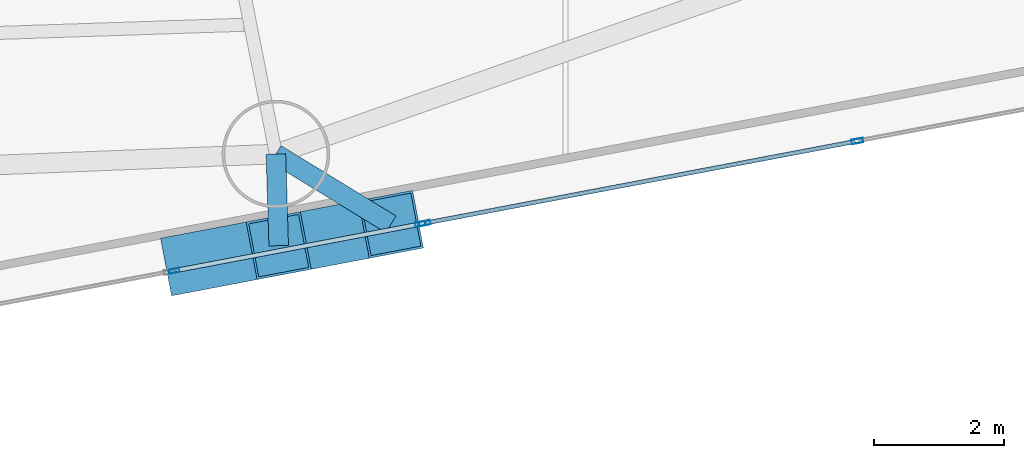
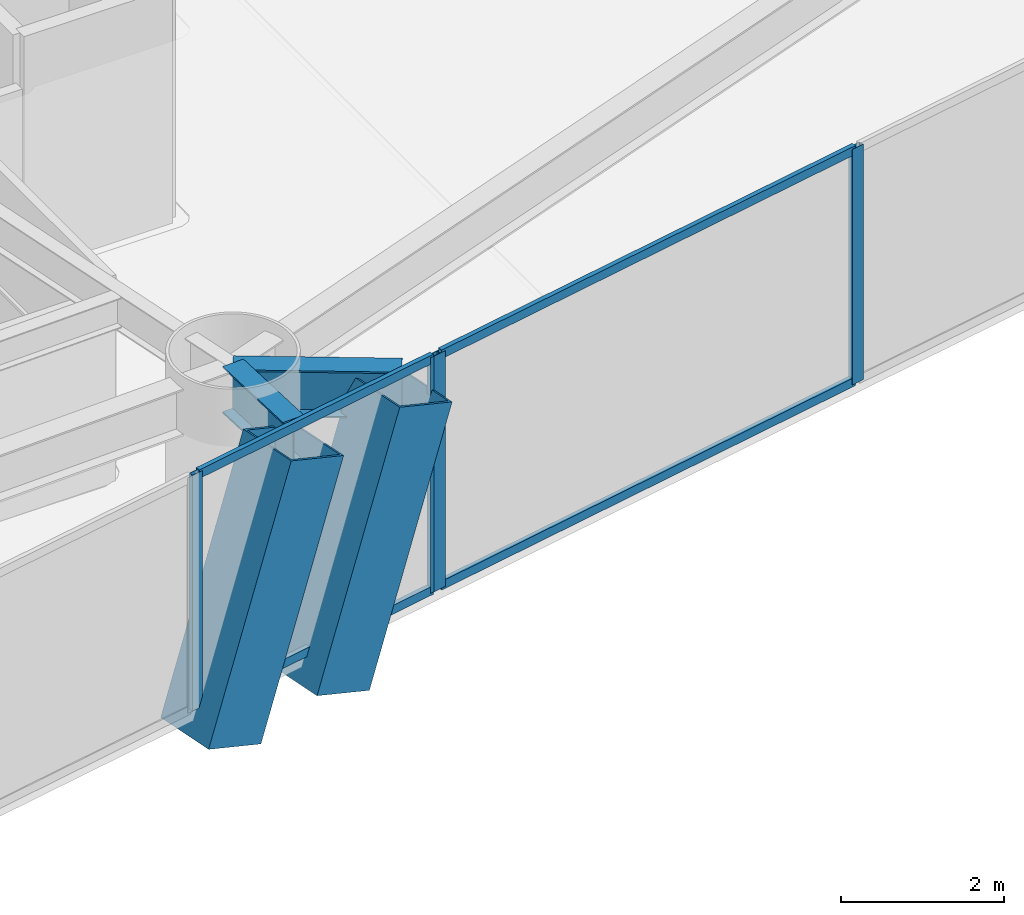
# One storey, part 5 of 23: 10 members, 2 beams, 2 elements without a shape of their own.
"""IFC4 building model written with IfcOpenShell, lengths in metres."""

from ifc_helpers import new_model, si_unit, direction, frame, origin, origin_2d, place, context, subcontext, project, spatial, hollow_rectangle, i_section, extrude, material, layer, layer_set, material_profile, profile_set, type_object, element, aggregate, save


model = new_model("IFC4")

# Units and contexts
model_context = context("Model", 3, precision=1e-05, world=origin(), true_north=direction((0.0, 1.0)))
body_context = subcontext(model_context, "Body", "Model", "MODEL_VIEW")
ifc_project = project(units=[si_unit("LENGTHUNIT", "METRE"), si_unit("AREAUNIT", "SQUARE_METRE"), si_unit("VOLUMEUNIT", "CUBIC_METRE"), si_unit("PLANEANGLEUNIT", "RADIAN"), si_unit("MASSUNIT", "GRAM", prefix="KILO")], contexts=[model_context])

# Site, building, storey
site_placement = place(None, origin())
site = spatial("IfcSite", under=ifc_project, at=site_placement, CompositionType="ELEMENT")
building_placement = place(site_placement, origin())
building = spatial("IfcBuilding", under=site, at=building_placement, Name="Qianvela Tower", CompositionType="ELEMENT")
storey_placement = place(building_placement, frame((0.0, 0.0, 85.800048828125)))
storey = spatial("IfcBuildingStorey", under=building, at=storey_placement, Name="L21", CompositionType="ELEMENT", Elevation=85.800048828125)

# Beams
ifc_material_1 = material(Name="Steel Q355B", Category="steel")
ifc_material_profile_1 = material_profile(ifc_material_1, i_section(OverallWidth=0.300048828125, OverallDepth=0.699951171875, WebThickness=0.012939453125, FlangeThickness=0.02392578125, at=origin_2d()), Name="HN700x300x13x24")
ifc_profile_set_1 = profile_set([ifc_material_profile_1], Name="Steel Q355B")
beam_type = type_object("IfcBeamType", Name="BM-HN700-SPAND", PredefinedType="SPANDREL", material=ifc_profile_set_1)
beam_1_placement = place(storey_placement, frame((40.18896484375, 14.819091796875, 3.16796875), z_axis=(0.030546599843, -0.999533343735, 0.0), x_axis=(0.999533343735, 0.030546599843, 0.0)))
element("IfcBeam", 1, at=beam_1_placement, inside=storey, type_object=beam_type, Name="L21 Mega-Brace Column Tie Bracket F3-1", PredefinedType="SPANDREL", context=body_context, shape_type="SweptSolid", body=[
    extrude(i_section(OverallWidth=0.300048828125, OverallDepth=0.699951171875, WebThickness=0.012939453125, FlangeThickness=0.02392578125, at=origin_2d()), origin(), (0.0, 0.0, 1.0), 1.40673828125),
])
beam_2_placement = place(storey_placement, frame((40.18896484375, 14.819091796875, 3.16796875), z_axis=(0.853214723789, -0.521559809714, 0.0), x_axis=(0.521559809714, 0.853214723789, 0.0)))
element("IfcBeam", 2, at=beam_2_placement, inside=storey, type_object=beam_type, Name="L21 Mega-Brace Column Tie Bracket F3-2", PredefinedType="SPANDREL", context=body_context, shape_type="SweptSolid", body=[
    extrude(i_section(OverallWidth=0.300048828125, OverallDepth=0.699951171875, WebThickness=0.012939453125, FlangeThickness=0.02392578125, at=origin_2d()), origin(), (0.0, 0.0, 1.0), 2.068603515625),
])

# Curtain wall, members
ifc_material_2 = material(Name="Anodised Architectural Aluminium and Insulated Spandrel Panel", Category="aluminium")
ifc_layer_1 = layer(ifc_material_2, 0.179931640625)
ifc_layer_set_1 = layer_set([ifc_layer_1], Name="Anodised Architectural Aluminium and Insulated Spandrel Panel")
curtain_wall_type_1 = type_object("IfcCurtainWallType", Name="CW-BRACEBAY", PredefinedType="USERDEFINED", material=ifc_layer_set_1)
curtain_wall_1_placement = place(storey_placement, origin())
curtain_wall_1 = element("IfcCurtainWall", 3, at=curtain_wall_1_placement, inside=storey, type_object=curtain_wall_type_1, Name="L21 CW-BRACEBAY Curtain Wall 06B", ObjectType="CURTAIN_WALL_SYSTEM", PredefinedType="USERDEFINED")
ifc_material_3 = material(Name="Anodised Architectural Aluminium 6063-T6", Category="aluminium")
ifc_material_profile_2 = material_profile(ifc_material_3, hollow_rectangle(XDim=0.06494140625, YDim=0.159912109375, WallThickness=0.0048828125, at=origin_2d()), Name="ALU-MULL-65x160")
ifc_profile_set_2 = profile_set([ifc_material_profile_2], Name="Anodised Architectural Aluminium 6063-T6")
member_type_1 = type_object("IfcMemberType", Name="CW-BRACEBAY-MULL", PredefinedType="MULLION", material=ifc_profile_set_2)
member_1_placement = place(storey_placement, frame((38.62744140625, 13.02685546875, 0.0), z_axis=(0.0, 0.0, 1.0), x_axis=(-0.186574989474, 0.982440722539, 0.0)))
member_1 = element("IfcMember", 4, at=member_1_placement, type_object=member_type_1, Name="CW-9 mullion 1", PredefinedType="MULLION", context=body_context, shape_type="SweptSolid", body=[
    extrude(hollow_rectangle(XDim=0.06494140625, YDim=0.159912109375, WallThickness=0.0048828125, at=origin_2d()), origin(), (0.0, 0.0, 1.0), 3.52001953125),
])
member_2_placement = place(storey_placement, frame((42.40478515625, 13.744384765625, 0.0), z_axis=(0.0, 0.0, 1.0), x_axis=(-0.186574989474, 0.982440722539, 0.0)))
member_2 = element("IfcMember", 5, at=member_2_placement, type_object=member_type_1, Name="CW-9 mullion 2", PredefinedType="MULLION", context=body_context, shape_type="SweptSolid", body=[
    extrude(hollow_rectangle(XDim=0.06494140625, YDim=0.159912109375, WallThickness=0.0048828125, at=origin_2d()), origin(), (0.0, 0.0, 1.0), 3.52001953125),
])
ifc_material_4 = material(Name="Anodised Architectural Aluminium 6063-T6", Category="aluminium")
ifc_material_profile_3 = material_profile(ifc_material_4, hollow_rectangle(XDim=0.06494140625, YDim=0.1298828125, WallThickness=0.00439453125, at=origin_2d()), Name="ALU-TRAN-65x130")
ifc_profile_set_3 = profile_set([ifc_material_profile_3], Name="Anodised Architectural Aluminium 6063-T6")
member_type_2 = type_object("IfcMemberType", Name="CW-BRACEBAY-TRAN", PredefinedType="USERDEFINED", material=ifc_profile_set_3)
member_3_placement = place(storey_placement, frame((38.6591796875, 13.032958984375, 0.032470703125), z_axis=(0.98243735933, 0.18659269812, 0.0), x_axis=(-0.18659269812, 0.98243735933, 0.0)))
member_3 = element("IfcMember", 6, at=member_3_placement, type_object=member_type_2, Name="CW-9 transom 1.1", ObjectType="TRANSOM", PredefinedType="USERDEFINED", context=body_context, shape_type="SweptSolid", body=[
    extrude(hollow_rectangle(XDim=0.06494140625, YDim=0.1298828125, WallThickness=0.00439453125, at=origin_2d()), origin(), (0.0, 0.0, 1.0), 3.780029296875),
])
member_4_placement = place(storey_placement, frame((38.6591796875, 13.032958984375, 3.487548828125), z_axis=(0.98243735933, 0.18659269812, 0.0), x_axis=(-0.18659269812, 0.98243735933, 0.0)))
member_4 = element("IfcMember", 7, at=member_4_placement, type_object=member_type_2, Name="CW-9 transom 1.2", ObjectType="TRANSOM", PredefinedType="USERDEFINED", context=body_context, shape_type="SweptSolid", body=[
    extrude(hollow_rectangle(XDim=0.06494140625, YDim=0.1298828125, WallThickness=0.00439453125, at=origin_2d()), origin(), (0.0, 0.0, 1.0), 3.780029296875),
])
aggregate(curtain_wall_1, [member_1, member_2, member_3, member_4])

ifc_material_5 = material(Name="Anodised Architectural Aluminium and Low-E Glass", Category="aluminium")
ifc_layer_2 = layer(ifc_material_5, 0.179931640625)
ifc_layer_set_2 = layer_set([ifc_layer_2], Name="Anodised Architectural Aluminium and Low-E Glass")
curtain_wall_type_2 = type_object("IfcCurtainWallType", Name="CW-COLIV-Z12", PredefinedType="USERDEFINED", material=ifc_layer_set_2)
curtain_wall_2_placement = place(storey_placement, origin())
curtain_wall_2 = element("IfcCurtainWall", 8, at=curtain_wall_2_placement, inside=storey, type_object=curtain_wall_type_2, Name="L21 CW-COLIV-Z12 Curtain Wall 06C", ObjectType="CURTAIN_WALL_SYSTEM", PredefinedType="USERDEFINED")
ifc_material_6 = material(Name="Anodised Architectural Aluminium 6063-T6", Category="aluminium")
ifc_material_profile_4 = material_profile(ifc_material_6, hollow_rectangle(XDim=0.070068359375, YDim=0.179931640625, WallThickness=0.0048828125, at=origin_2d()), Name="ALU-MULL-70x180")
ifc_profile_set_4 = profile_set([ifc_material_profile_4], Name="Anodised Architectural Aluminium 6063-T6")
member_type_3 = type_object("IfcMemberType", Name="CW-COLIV-Z12-MULL", PredefinedType="MULLION", material=ifc_profile_set_4)
member_5_placement = place(storey_placement, frame((42.47119140625, 13.7568359375, 0.0), z_axis=(0.0, 0.0, 1.0), x_axis=(-0.186581274279, 0.982439528973, 0.0)))
member_5 = element("IfcMember", 9, at=member_5_placement, type_object=member_type_3, Name="CW-3 mullion 1", PredefinedType="MULLION", context=body_context, shape_type="SweptSolid", body=[
    extrude(hollow_rectangle(XDim=0.070068359375, YDim=0.179931640625, WallThickness=0.0048828125, at=origin_2d()), origin(), (0.0, 0.0, 1.0), 3.52001953125),
])
member_6_placement = place(storey_placement, frame((49.10888671875, 15.017578125, 0.0), z_axis=(0.0, 0.0, 1.0), x_axis=(-0.186581274279, 0.982439528973, 0.0)))
member_6 = element("IfcMember", 10, at=member_6_placement, type_object=member_type_3, Name="CW-3 mullion 2", PredefinedType="MULLION", context=body_context, shape_type="SweptSolid", body=[
    extrude(hollow_rectangle(XDim=0.070068359375, YDim=0.179931640625, WallThickness=0.0048828125, at=origin_2d()), origin(), (0.0, 0.0, 1.0), 3.52001953125),
])
ifc_material_7 = material(Name="Anodised Architectural Aluminium 6063-T6", Category="aluminium")
ifc_material_profile_5 = material_profile(ifc_material_7, hollow_rectangle(XDim=0.06494140625, YDim=0.1298828125, WallThickness=0.00439453125, at=origin_2d()), Name="ALU-TRAN-65x130")
ifc_profile_set_5 = profile_set([ifc_material_profile_5], Name="Anodised Architectural Aluminium 6063-T6")
member_type_4 = type_object("IfcMemberType", Name="CW-COLIV-Z12-TRAN", PredefinedType="USERDEFINED", material=ifc_profile_set_5)
member_7_placement = place(storey_placement, frame((42.50537109375, 13.763427734375, 0.032470703125), z_axis=(0.982440049133, 0.186578535365, 0.0), x_axis=(-0.186578535365, 0.982440049133, 0.0)))
member_7 = element("IfcMember", 11, at=member_7_placement, type_object=member_type_4, Name="CW-3 transom 1.1", ObjectType="TRANSOM", PredefinedType="USERDEFINED", context=body_context, shape_type="SweptSolid", body=[
    extrude(hollow_rectangle(XDim=0.06494140625, YDim=0.1298828125, WallThickness=0.00439453125, at=origin_2d()), origin(), (0.0, 0.0, 1.0), 6.6865234375),
])
member_8_placement = place(storey_placement, frame((42.50537109375, 13.763427734375, 3.487548828125), z_axis=(0.982440049133, 0.186578535365, 0.0), x_axis=(-0.186578535365, 0.982440049133, 0.0)))
member_8 = element("IfcMember", 12, at=member_8_placement, type_object=member_type_4, Name="CW-3 transom 1.2", ObjectType="TRANSOM", PredefinedType="USERDEFINED", context=body_context, shape_type="SweptSolid", body=[
    extrude(hollow_rectangle(XDim=0.06494140625, YDim=0.1298828125, WallThickness=0.00439453125, at=origin_2d()), origin(), (0.0, 0.0, 1.0), 6.6865234375),
])
aggregate(curtain_wall_2, [member_5, member_6, member_7, member_8])

# Members
ifc_material_8 = material(Name="Steel Q420GJC", Category="steel")
ifc_material_profile_6 = material_profile(ifc_material_8, hollow_rectangle(XDim=0.89990234375, YDim=0.89990234375, WallThickness=0.035888671875, at=origin_2d()), Name="MBOX-900x900x36")
ifc_profile_set_6 = profile_set([ifc_material_profile_6], Name="Steel Q420GJC")
member_type_5 = type_object("IfcMemberType", Name="MBR-MBRACE-900", PredefinedType="BRACE", material=ifc_profile_set_6)
member_9_placement = place(storey_placement, frame((38.9189453125, 13.163818359375, -0.531982421875), z_axis=(0.333760964123, 0.063363693635, 0.940525736573), x_axis=(-0.186516065646, 0.982451910913, 0.0)))
element("IfcMember", 13, at=member_9_placement, inside=storey, type_object=member_type_5, Name="L21 Tier 3 Exterior Mega-Brace F3A", PredefinedType="BRACE", context=body_context, shape_type="SweptSolid", body=[
    extrude(hollow_rectangle(XDim=0.89990234375, YDim=0.89990234375, WallThickness=0.035888671875, at=origin_2d()), origin(), (0.0, 0.0, 1.0), 3.933837890625),
])
member_10_placement = place(storey_placement, frame((40.640625, 13.49072265625, -0.531982421875), z_axis=(0.333814796256, 0.0634241907, 0.940502553869), x_axis=(-0.186658883051, 0.982424786626, 0.0)))
element("IfcMember", 14, at=member_10_placement, inside=storey, type_object=member_type_5, Name="L21 Tier 3 Exterior Mega-Brace F3B", PredefinedType="BRACE", context=body_context, shape_type="SweptSolid", body=[
    extrude(hollow_rectangle(XDim=0.89990234375, YDim=0.89990234375, WallThickness=0.035888671875, at=origin_2d()), origin(), (0.0, 0.0, 1.0), 3.93408203125),
])

save(model, "model.ifc")
